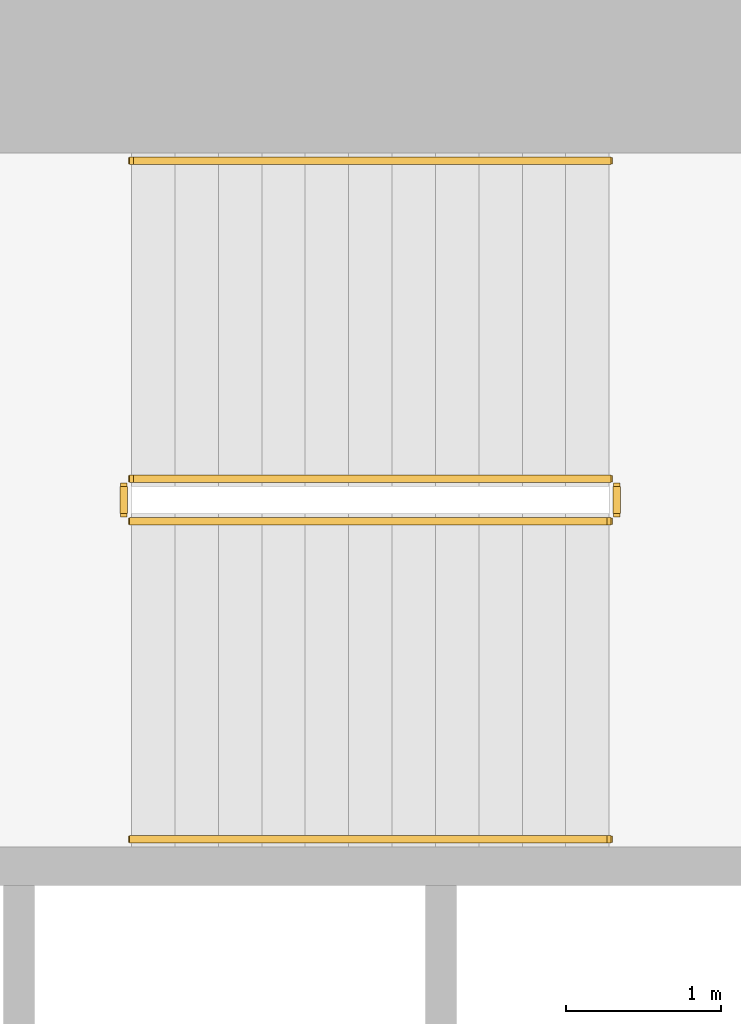
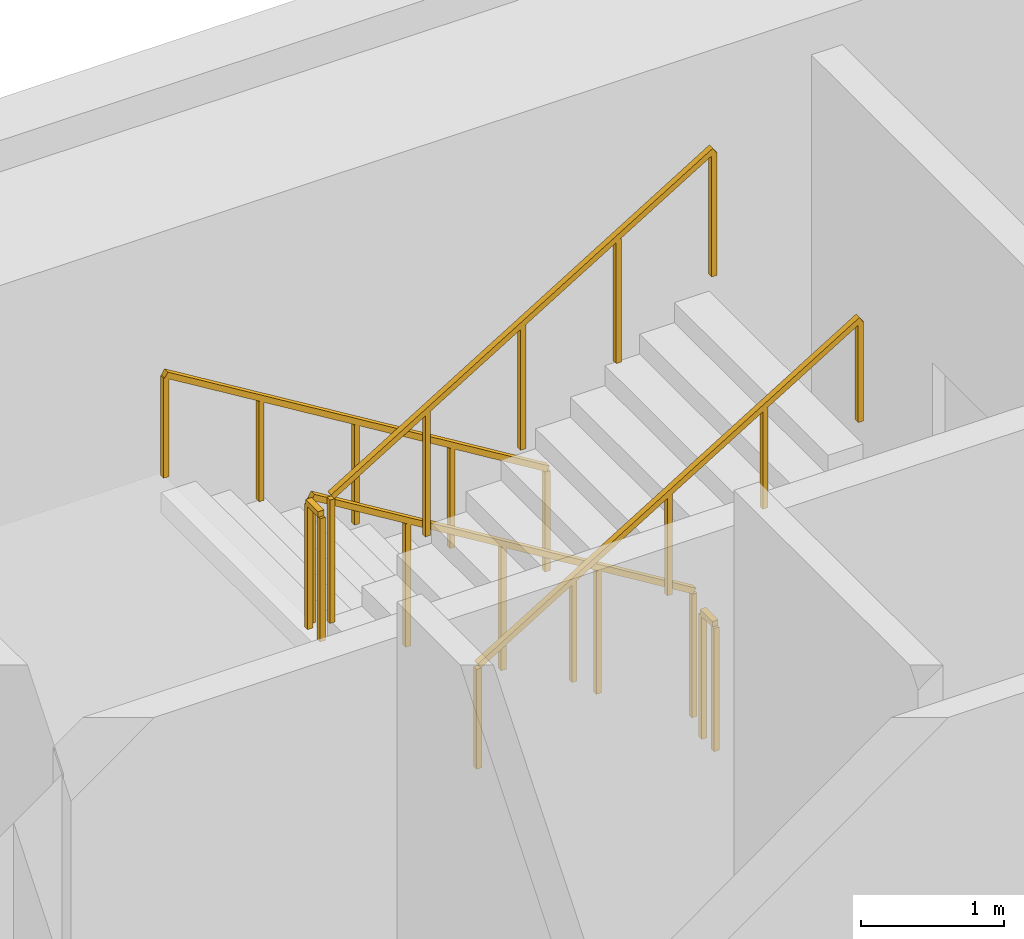
# One storey, part 13 of 15: 6 railings.
"""IFC4 building model written with IfcOpenShell, lengths in metres."""

import ifcopenshell
import ifcopenshell.guid

model = None  # the IFC model being written
_history = None  # IfcOwnerHistory: only IFC2X3 demands one
_inside = {}  # id of a spatial element -> (the spatial element, [elements in it])
_under = {}  # id of a project, library or spatial element -> (it, [spatial elements below it])
_declared = {}  # id of a project -> (the project, [libraries it declares])
_typed = {}  # id of a type object -> (the type object, [elements of that type])
_made_of = {}  # id of a material, layer set ... -> (it, [elements and type objects made of it])


def new_model(schema):
    """Start an empty IFC model of exactly this schema.

    Asked for "IFC4X3", IfcOpenShell would pick the latest addendum, in which some entities
    have other attributes; the version numbers below select the first issue.
    IFC2X3 requires an IfcOwnerHistory on every rooted entity: one is made here for all.
    """
    global model, _history
    if schema == "IFC4X3":
        model = ifcopenshell.file(schema_version=(4, 3, 0, 0))
    else:
        model = ifcopenshell.file(schema=schema)
    _inside.clear()
    _under.clear()
    _declared.clear()
    _typed.clear()
    _made_of.clear()
    _history = None
    if model.schema == "IFC2X3":
        org = make("IfcOrganization", Name="unknown")
        user = make(
            "IfcPersonAndOrganization",
            ThePerson=make("IfcPerson", FamilyName="unknown"),
            TheOrganization=org,
        )
        app = make(
            "IfcApplication",
            ApplicationDeveloper=org,
            Version="unknown",
            ApplicationFullName="unknown",
            ApplicationIdentifier="unknown",
        )
        _history = make(
            "IfcOwnerHistory",
            OwningUser=user,
            OwningApplication=app,
            ChangeAction="ADDED",
            CreationDate=0,
        )
    return model


def make(cls, **values):
    """One entity of the class cls with the attributes given. An attribute that is None is left unset."""
    return model.create_entity(
        cls, **{name: value for name, value in values.items() if value is not None}
    )


def rooted(cls, **values):
    """An entity with a GlobalId (a new one), such as an element, a storey or a relation."""
    return make(cls, GlobalId=ifcopenshell.guid.new(), OwnerHistory=_history, **values)


def si_unit(unit_type, name, prefix=None):
    """IfcSIUnit, for example si_unit("LENGTHUNIT", "METRE", prefix="MILLI")."""
    return make("IfcSIUnit", UnitType=unit_type, Prefix=prefix, Name=name)


def assignment(units):
    """IfcUnitAssignment: the units of a project."""
    return None if units is None else make("IfcUnitAssignment", Units=units)


def point(xyz):
    """IfcCartesianPoint."""
    return None if xyz is None else make("IfcCartesianPoint", Coordinates=xyz)


def direction(xyz):
    """IfcDirection."""
    return None if xyz is None else make("IfcDirection", DirectionRatios=xyz)


def frame(location, z_axis=None, x_axis=None):
    """IfcAxis2Placement3D, a coordinate frame: its origin and axes. An axis left out is left unset."""
    return make(
        "IfcAxis2Placement3D",
        Location=point(location),
        Axis=direction(z_axis),
        RefDirection=direction(x_axis),
    )


def frame_2d(location, x_axis=None):
    """IfcAxis2Placement2D, a coordinate frame in the plane: its origin and x axis."""
    return make(
        "IfcAxis2Placement2D", Location=point(location), RefDirection=direction(x_axis)
    )


def origin():
    """The frame at (0, 0, 0) with its axes left unset."""
    return frame((0.0, 0.0, 0.0))


def origin_2d():
    """The frame at (0, 0) in the plane with its x axis left unset."""
    return frame_2d((0.0, 0.0))


def place(relative_to, where):
    """IfcLocalPlacement: puts the frame where relative to a parent placement (None: the world)."""
    return make(
        "IfcLocalPlacement", PlacementRelTo=relative_to, RelativePlacement=where
    )


def context(
    kind, dimensions, precision=None, world=None, true_north=None, identifier=None
):
    """IfcGeometricRepresentationContext, for example the 3D "Model" context."""
    return make(
        "IfcGeometricRepresentationContext",
        ContextIdentifier=identifier,
        ContextType=kind,
        CoordinateSpaceDimension=dimensions,
        Precision=precision,
        WorldCoordinateSystem=world,
        TrueNorth=true_north,
    )


def subcontext(parent, identifier, kind, view, scale=None):
    """IfcGeometricRepresentationSubContext, for example "Body" below "Model"."""
    return make(
        "IfcGeometricRepresentationSubContext",
        ContextIdentifier=identifier,
        ContextType=kind,
        ParentContext=parent,
        TargetScale=scale,
        TargetView=view,
    )


def project(units=None, contexts=None):
    """IfcProject with its units and contexts."""
    return rooted(
        "IfcProject",
        Name="project",
        RepresentationContexts=contexts,
        UnitsInContext=assignment(units),
    )


def spatial(cls, under=None, at=None, **own):
    """A site, building, storey or space (cls), placed at a placement, below another one or the project."""
    s = rooted(cls, ObjectPlacement=at, **own)
    if under is not None:
        _under.setdefault(under.id(), (under, []))[1].append(s)
    return s


def profile(cls, at=None, kind="AREA", **sizes):
    """A parametric profile (cls). Its sizes go by their IFC names, for example OverallWidth=200.0."""
    return make(cls, ProfileType=kind, Position=at, **sizes)


def rectangle(**sizes):
    """IfcRectangleProfileDef."""
    return profile("IfcRectangleProfileDef", **sizes)


def extrude(swept, where, along, depth):
    """IfcExtrudedAreaSolid: the profile swept, set in the frame where, extruded along a direction by depth."""
    return make(
        "IfcExtrudedAreaSolid",
        SweptArea=swept,
        Position=where,
        ExtrudedDirection=direction(along),
        Depth=depth,
    )


def shape(context_of_items, identifier, shape_type, items):
    """IfcShapeRepresentation: the items that make up one representation, for example the "Body"."""
    return make(
        "IfcShapeRepresentation",
        ContextOfItems=context_of_items,
        RepresentationIdentifier=identifier,
        RepresentationType=shape_type,
        Items=items,
    )


def material(Name=None, Category=None):
    """IfcMaterial."""
    return make("IfcMaterial", Name=Name, Category=Category)


def made_of(thing, what):
    """Note that an element or type object is made of a material, layer set ...; save() writes the relation."""
    if what is not None:
        _made_of.setdefault(what.id(), (what, []))[1].append(thing)
    return thing


def type_object(cls, material=None, **own):
    """A type object (cls), such as IfcWallType, which elements share."""
    return made_of(rooted(cls, **own), material)


def element(
    cls,
    number,
    at=None,
    inside=None,
    cuts=None,
    type_object=None,
    material=None,
    context=None,
    identifier="Body",
    shape_type=None,
    held_by="IfcProductDefinitionShape",
    body=None,
    shapes=None,
    **own,
):
    """One element of the class cls, such as IfcWall. Its Tag is "e" and its number.

    at: its placement. inside: the storey or other place that contains it. cuts: it is an
    opening in that element (IfcRelVoidsElement). A single representation is given by context,
    identifier, shape_type and body (its items); several are given by shapes. held_by: the class
    of the entity that holds the representations. save() writes the other relations.
    """
    e = rooted(cls, Tag="e%d" % number, ObjectPlacement=at, **own)
    if body is not None:
        shapes = [shape(context, identifier, shape_type, body)]
    if shapes is not None:
        e.Representation = make(held_by, Representations=shapes)
    if inside is not None:
        _inside.setdefault(inside.id(), (inside, []))[1].append(e)
    if cuts is not None:
        rooted(
            "IfcRelVoidsElement", RelatingBuildingElement=cuts, RelatedOpeningElement=e
        )
    if type_object is not None:
        _typed.setdefault(type_object.id(), (type_object, []))[1].append(e)
    return made_of(e, material)


def aggregate(whole, parts):
    """IfcRelAggregates: a whole, such as a stair, and the parts it consists of."""
    return rooted("IfcRelAggregates", RelatingObject=whole, RelatedObjects=parts)


def save(model, path):
    """Write the relations noted so far, then the file.

    IfcRelAggregates (storeys below a building ...), IfcRelContainedInSpatialStructure (elements
    in a storey), IfcRelDefinesByType, IfcRelAssociatesMaterial and IfcRelDeclares: one each for
    every whole, place, type object, material and project.
    """
    for whole, parts in _under.values():
        aggregate(whole, parts)
    for where, things in _inside.values():
        rooted(
            "IfcRelContainedInSpatialStructure",
            RelatedElements=things,
            RelatingStructure=where,
        )
    for kind, things in _typed.values():
        rooted("IfcRelDefinesByType", RelatedObjects=things, RelatingType=kind)
    for what, things in _made_of.values():
        rooted("IfcRelAssociatesMaterial", RelatedObjects=things, RelatingMaterial=what)
    for by, libraries in _declared.values():
        rooted("IfcRelDeclares", RelatingContext=by, RelatedDefinitions=libraries)
    model.write(path)


model = new_model("IFC4")

# Units and contexts
model_context = context("Model", 3, precision=1e-05, world=origin(), true_north=direction((0.0, 1.0)))
body_context = subcontext(model_context, "Body", "Model", "MODEL_VIEW")
ifc_project = project(units=[si_unit("LENGTHUNIT", "METRE"), si_unit("AREAUNIT", "SQUARE_METRE"), si_unit("VOLUMEUNIT", "CUBIC_METRE"), si_unit("PLANEANGLEUNIT", "RADIAN"), si_unit("MASSUNIT", "GRAM", prefix="KILO")], contexts=[model_context])

# Site, building, storey
site_placement = place(None, origin())
site = spatial("IfcSite", under=ifc_project, at=site_placement, CompositionType="ELEMENT")
building_placement = place(site_placement, origin())
building = spatial("IfcBuilding", under=site, at=building_placement, Name="Cypress Arch Tower", CompositionType="ELEMENT")
storey_placement = place(building_placement, frame((0.0, 0.0, 234.300048828125)))
storey = spatial("IfcBuildingStorey", under=building, at=storey_placement, Name="L52", CompositionType="ELEMENT", Elevation=234.300048828125)

# Railings
ifc_material_1 = material(Name="Black powder-coated steel square bar 48 mm", Category="steel")
railing_type_1 = type_object("IfcRailingType", Name="Stair handrail HR1", PredefinedType="HANDRAIL", material=ifc_material_1)
railing_1_placement = place(storey_placement, frame((-22.27490234375, 14.75, 0.1708984375)))
element("IfcRailing", 1, at=railing_1_placement, inside=storey, type_object=railing_type_1, Name="L52 B stair handrail 1", PredefinedType="HANDRAIL", context=body_context, shape_type="SweptSolid", body=[
    extrude(rectangle(XDim=0.048095703125, YDim=0.048095703125, at=origin_2d()), frame((0.0, 0.0, 0.8759765625), z_axis=(-0.853666305674, 0.0, 0.52082035152), x_axis=(0.0, -1.0, 0.0)), (0.0, 0.0, 1.0), 3.608154296875),
    extrude(rectangle(XDim=0.0419921875, YDim=0.0419921875, at=origin_2d()), origin(), (0.0, 0.0, 1.0), 0.851806640625),
    extrude(rectangle(XDim=0.0419921875, YDim=0.0419921875, at=origin_2d()), frame((-0.77001953125, 0.0, 0.4697265625)), (0.0, 0.0, 1.0), 0.851806640625),
    extrude(rectangle(XDim=0.0419921875, YDim=0.0419921875, at=origin_2d()), frame((-1.5400390625, 0.0, 0.939453125)), (0.0, 0.0, 1.0), 0.851806640625),
    extrude(rectangle(XDim=0.0419921875, YDim=0.0419921875, at=origin_2d()), frame((-2.31005859375, 0.0, 1.409423828125)), (0.0, 0.0, 1.0), 0.851806640625),
    extrude(rectangle(XDim=0.0419921875, YDim=0.0419921875, at=origin_2d()), frame((-3.080078125, 0.0, 1.879150390625)), (0.0, 0.0, 1.0), 0.851806640625),
])
railing_2_placement = place(storey_placement, frame((-25.35498046875, 10.375, 2.220703125)))
element("IfcRailing", 2, at=railing_2_placement, inside=storey, type_object=railing_type_1, Name="L52 B stair handrail 2", PredefinedType="HANDRAIL", context=body_context, shape_type="SweptSolid", body=[
    extrude(rectangle(XDim=0.048095703125, YDim=0.048095703125, at=origin_2d()), frame((0.0, 0.0, 0.8759765625), z_axis=(0.853666305674, 0.0, 0.52082035152), x_axis=(0.0, 1.0, 0.0)), (0.0, 0.0, 1.0), 3.608154296875),
    extrude(rectangle(XDim=0.0419921875, YDim=0.0419921875, at=origin_2d()), origin(), (0.0, 0.0, 1.0), 0.851806640625),
    extrude(rectangle(XDim=0.0419921875, YDim=0.0419921875, at=origin_2d()), frame((0.77001953125, 0.0, 0.4697265625)), (0.0, 0.0, 1.0), 0.851806640625),
    extrude(rectangle(XDim=0.0419921875, YDim=0.0419921875, at=origin_2d()), frame((1.5400390625, 0.0, 0.939453125)), (0.0, 0.0, 1.0), 0.851806640625),
    extrude(rectangle(XDim=0.0419921875, YDim=0.0419921875, at=origin_2d()), frame((2.31005859375, 0.0, 1.409423828125)), (0.0, 0.0, 1.0), 0.851806640625),
    extrude(rectangle(XDim=0.0419921875, YDim=0.0419921875, at=origin_2d()), frame((3.080078125, 0.0, 1.879150390625)), (0.0, 0.0, 1.0), 0.851806640625),
])
ifc_material_2 = material(Name="Black powder-coated steel balusters", Category="steel")
railing_type_2 = type_object("IfcRailingType", Name="Stair well guard G1", PredefinedType="GUARDRAIL", material=ifc_material_2)
railing_3_placement = place(storey_placement, frame((-22.27490234375, 12.699951171875, 0.1708984375)))
element("IfcRailing", 3, at=railing_3_placement, inside=storey, type_object=railing_type_2, Name="L52 B stair guard 1", PredefinedType="GUARDRAIL", context=body_context, shape_type="SweptSolid", body=[
    extrude(rectangle(XDim=0.048095703125, YDim=0.048095703125, at=origin_2d()), frame((0.0, 0.0, 1.076171875), z_axis=(-0.853666305674, 0.0, 0.52082035152), x_axis=(0.0, -1.0, 0.0)), (0.0, 0.0, 1.0), 3.608154296875),
    extrude(rectangle(XDim=0.0419921875, YDim=0.0419921875, at=origin_2d()), origin(), (0.0, 0.0, 1.0), 1.052001953125),
    extrude(rectangle(XDim=0.0419921875, YDim=0.0419921875, at=origin_2d()), frame((-0.77001953125, 0.0, 0.4697265625)), (0.0, 0.0, 1.0), 1.052001953125),
    extrude(rectangle(XDim=0.0419921875, YDim=0.0419921875, at=origin_2d()), frame((-1.5400390625, 0.0, 0.939453125)), (0.0, 0.0, 1.0), 1.052001953125),
    extrude(rectangle(XDim=0.0419921875, YDim=0.0419921875, at=origin_2d()), frame((-2.31005859375, 0.0, 1.409423828125)), (0.0, 0.0, 1.0), 1.052001953125),
    extrude(rectangle(XDim=0.0419921875, YDim=0.0419921875, at=origin_2d()), frame((-3.080078125, 0.0, 1.879150390625)), (0.0, 0.0, 1.0), 1.052001953125),
])
railing_4_placement = place(storey_placement, frame((-25.405029296875, 12.64990234375, 2.050048828125)))
element("IfcRailing", 4, at=railing_4_placement, inside=storey, type_object=railing_type_2, Name="L52 B stair guard 2", PredefinedType="GUARDRAIL", context=body_context, shape_type="SweptSolid", body=[
    extrude(rectangle(XDim=0.048095703125, YDim=0.048095703125, at=origin_2d()), frame((0.0, 0.0, 1.076171875), z_axis=(0.0, -1.0, 0.0), x_axis=(1.0, 0.0, 0.0)), (0.0, 0.0, 1.0), 0.1748046875),
    extrude(rectangle(XDim=0.0419921875, YDim=0.0419921875, at=origin_2d()), origin(), (0.0, 0.0, 1.0), 1.052001953125),
    extrude(rectangle(XDim=0.0419921875, YDim=0.0419921875, at=origin_2d()), frame((0.0, -0.1748046875, 0.0)), (0.0, 0.0, 1.0), 1.052001953125),
])
railing_5_placement = place(storey_placement, frame((-25.35498046875, 12.425048828125, 2.220703125)))
element("IfcRailing", 5, at=railing_5_placement, inside=storey, type_object=railing_type_2, Name="L52 B stair guard 3", PredefinedType="GUARDRAIL", context=body_context, shape_type="SweptSolid", body=[
    extrude(rectangle(XDim=0.048095703125, YDim=0.048095703125, at=origin_2d()), frame((0.0, 0.0, 1.076171875), z_axis=(0.853666305674, 0.0, 0.52082035152), x_axis=(0.0, 1.0, 0.0)), (0.0, 0.0, 1.0), 3.608154296875),
    extrude(rectangle(XDim=0.0419921875, YDim=0.0419921875, at=origin_2d()), origin(), (0.0, 0.0, 1.0), 1.052001953125),
    extrude(rectangle(XDim=0.0419921875, YDim=0.0419921875, at=origin_2d()), frame((0.77001953125, 0.0, 0.4697265625)), (0.0, 0.0, 1.0), 1.052001953125),
    extrude(rectangle(XDim=0.0419921875, YDim=0.0419921875, at=origin_2d()), frame((1.5400390625, 0.0, 0.939453125)), (0.0, 0.0, 1.0), 1.052001953125),
    extrude(rectangle(XDim=0.0419921875, YDim=0.0419921875, at=origin_2d()), frame((2.31005859375, 0.0, 1.409423828125)), (0.0, 0.0, 1.0), 1.052001953125),
    extrude(rectangle(XDim=0.0419921875, YDim=0.0419921875, at=origin_2d()), frame((3.080078125, 0.0, 1.879150390625)), (0.0, 0.0, 1.0), 1.052001953125),
])
railing_6_placement = place(storey_placement, frame((-22.22509765625, 12.64990234375, 0.0)))
element("IfcRailing", 6, at=railing_6_placement, inside=storey, type_object=railing_type_2, Name="L52 B stair guard 4", PredefinedType="GUARDRAIL", context=body_context, shape_type="SweptSolid", body=[
    extrude(rectangle(XDim=0.048095703125, YDim=0.048095703125, at=origin_2d()), frame((0.0, 0.0, 1.076171875), z_axis=(0.0, -1.0, 0.0), x_axis=(1.0, 0.0, 0.0)), (0.0, 0.0, 1.0), 0.1748046875),
    extrude(rectangle(XDim=0.0419921875, YDim=0.0419921875, at=origin_2d()), origin(), (0.0, 0.0, 1.0), 1.052001953125),
    extrude(rectangle(XDim=0.0419921875, YDim=0.0419921875, at=origin_2d()), frame((0.0, -0.1748046875, 0.0)), (0.0, 0.0, 1.0), 1.052001953125),
])

save(model, "model.ifc")
